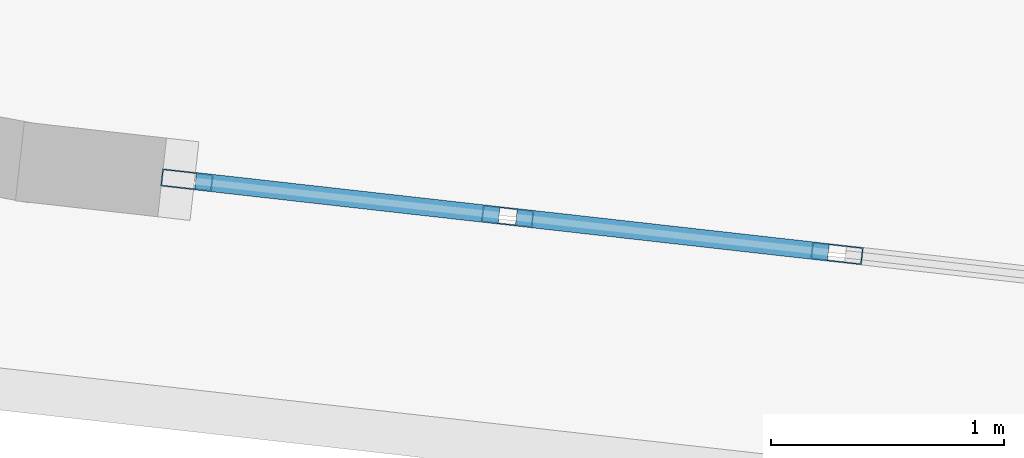
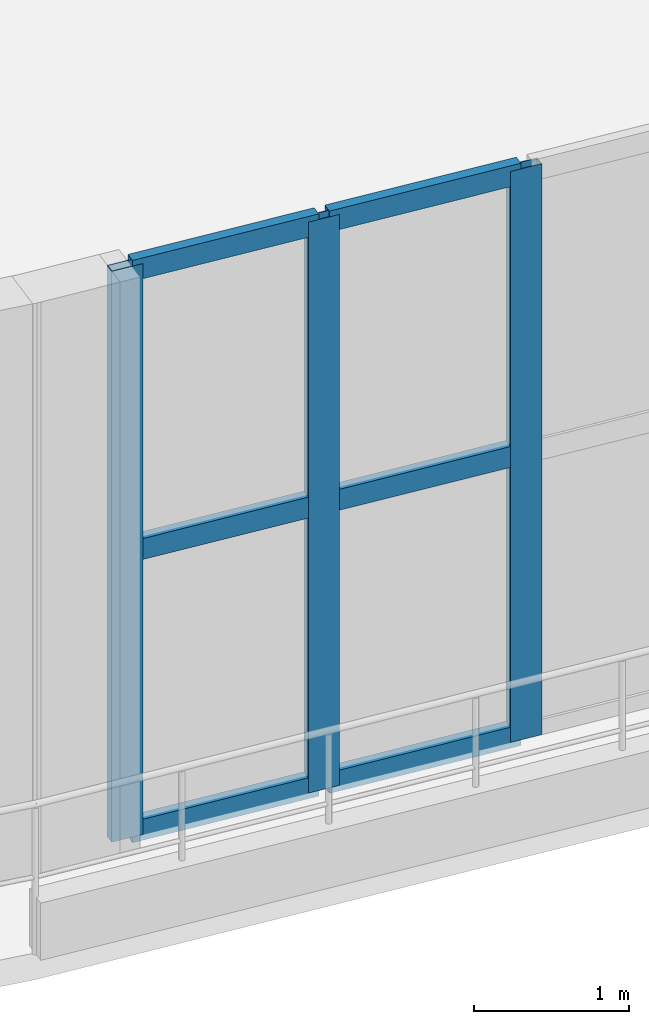
# One storey, part 4 of 23: 9 members, 1 element without a shape of its own.
"""IFC4 building model written with IfcOpenShell, lengths in metres."""

from ifc_helpers import new_model, si_unit, direction, frame, origin, origin_2d, place, context, subcontext, project, spatial, hollow_rectangle, extrude, material, layer, layer_set, material_profile, profile_set, type_object, element, aggregate, save


model = new_model("IFC4")

# Units and contexts
model_context = context("Model", 3, precision=1e-05, world=origin(), true_north=direction((0.0, 1.0)))
body_context = subcontext(model_context, "Body", "Model", "MODEL_VIEW")
ifc_project = project(units=[si_unit("LENGTHUNIT", "METRE"), si_unit("AREAUNIT", "SQUARE_METRE"), si_unit("VOLUMEUNIT", "CUBIC_METRE"), si_unit("PLANEANGLEUNIT", "RADIAN"), si_unit("MASSUNIT", "GRAM", prefix="KILO")], contexts=[model_context])

# Site, building, storey
site_placement = place(None, origin())
site = spatial("IfcSite", under=ifc_project, at=site_placement, CompositionType="ELEMENT")
building_placement = place(site_placement, origin())
building = spatial("IfcBuilding", under=site, at=building_placement, Name="Miruveldt Soraemaru", CompositionType="ELEMENT")
storey_placement = place(building_placement, frame((0.0, 0.0, 9.60009765625)))
storey = spatial("IfcBuildingStorey", under=building, at=storey_placement, Name="L03", CompositionType="ELEMENT", Elevation=9.60009765625)

# Curtain wall, members
ifc_material = material(Name="Anodised aluminium EN AW-6063 T6", Category="aluminium")
ifc_layer = layer(ifc_material, 0.219970703125, Name="Anodised aluminium EN AW-6063 T6", Category="aluminium")
ifc_layer_set = layer_set([ifc_layer], Name="Anodised aluminium EN AW-6063 T6")
curtain_wall_type = type_object("IfcCurtainWallType", Name="CW-SYS-2", PredefinedType="USERDEFINED", material=ifc_layer_set)
curtain_wall_placement = place(storey_placement, origin())
curtain_wall = element("IfcCurtainWall", 1, at=curtain_wall_placement, inside=storey, type_object=curtain_wall_type, Name="L03 Curtain Wall Bay 23", ObjectType="STOREFRONT", PredefinedType="USERDEFINED")
ifc_material_profile_1 = material_profile(ifc_material, hollow_rectangle(XDim=0.074951171875, YDim=0.219970703125, WallThickness=0.0048828125, at=origin_2d()), Name="Anodised aluminium EN AW-6063 T6", Category="aluminium")
ifc_profile_set_1 = profile_set([ifc_material_profile_1], Name="Anodised aluminium EN AW-6063 T6")
member_type_1 = type_object("IfcMemberType", Name="CWM-2", PredefinedType="MULLION", material=ifc_profile_set_1)
member_1_placement = place(storey_placement, frame((30.776611328125, 16.194091796875, 0.0), z_axis=(0.0, 0.0, 1.0), x_axis=(0.11177808936, 0.993733192934, 0.0)))
member_1 = element("IfcMember", 2, at=member_1_placement, type_object=member_type_1, Name="CW-2 mullion 1", PredefinedType="MULLION", context=body_context, shape_type="SweptSolid", body=[
    extrude(hollow_rectangle(XDim=0.074951171875, YDim=0.219970703125, WallThickness=0.0048828125, at=origin_2d()), origin(), (0.0, 0.0, 1.0), 4.5),
])
member_2_placement = place(storey_placement, frame((32.154541015625, 16.0390625, 0.0), z_axis=(0.0, 0.0, 1.0), x_axis=(0.11177808936, 0.993733192934, 0.0)))
member_2 = element("IfcMember", 3, at=member_2_placement, type_object=member_type_1, Name="CW-2 mullion 2", PredefinedType="MULLION", context=body_context, shape_type="SweptSolid", body=[
    extrude(hollow_rectangle(XDim=0.074951171875, YDim=0.219970703125, WallThickness=0.0048828125, at=origin_2d()), origin(), (0.0, 0.0, 1.0), 4.5),
])
member_3_placement = place(storey_placement, frame((33.570068359375, 15.8798828125, 0.0), z_axis=(0.0, 0.0, 1.0), x_axis=(0.11177808936, 0.993733192934, 0.0)))
member_3 = element("IfcMember", 4, at=member_3_placement, type_object=member_type_1, Name="CW-2 mullion 3", PredefinedType="MULLION", context=body_context, shape_type="SweptSolid", body=[
    extrude(hollow_rectangle(XDim=0.074951171875, YDim=0.219970703125, WallThickness=0.0048828125, at=origin_2d()), origin(), (0.0, 0.0, 1.0), 4.5),
])
ifc_material_profile_2 = material_profile(ifc_material, hollow_rectangle(XDim=0.074951171875, YDim=0.1650390625, WallThickness=0.00390625, at=origin_2d()), Name="Anodised aluminium EN AW-6063 T6", Category="aluminium")
ifc_profile_set_2 = profile_set([ifc_material_profile_2], Name="Anodised aluminium EN AW-6063 T6")
member_type_2 = type_object("IfcMemberType", Name="CWT-2", PredefinedType="USERDEFINED", material=ifc_profile_set_2)
member_4_placement = place(storey_placement, frame((30.813720703125, 16.18994140625, 0.037353515625), z_axis=(0.993726146699, -0.111840714263, 0.0), x_axis=(0.111840714263, 0.993726146699, 0.0)))
member_4 = element("IfcMember", 5, at=member_4_placement, type_object=member_type_2, Name="CW-2 transom 1.1", ObjectType="TRANSOM", PredefinedType="USERDEFINED", context=body_context, shape_type="SweptSolid", body=[
    extrude(hollow_rectangle(XDim=0.074951171875, YDim=0.1650390625, WallThickness=0.00390625, at=origin_2d()), origin(), (0.0, 0.0, 1.0), 1.31201171875),
])
member_5_placement = place(storey_placement, frame((30.813720703125, 16.18994140625, 2.25), z_axis=(0.993726146699, -0.111840714263, 0.0), x_axis=(0.111840714263, 0.993726146699, 0.0)))
member_5 = element("IfcMember", 6, at=member_5_placement, type_object=member_type_2, Name="CW-2 transom 1.2", ObjectType="TRANSOM", PredefinedType="USERDEFINED", context=body_context, shape_type="SweptSolid", body=[
    extrude(hollow_rectangle(XDim=0.074951171875, YDim=0.1650390625, WallThickness=0.00390625, at=origin_2d()), origin(), (0.0, 0.0, 1.0), 1.31201171875),
])
member_6_placement = place(storey_placement, frame((30.813720703125, 16.18994140625, 4.46240234375), z_axis=(0.993726146699, -0.111840714263, 0.0), x_axis=(0.111840714263, 0.993726146699, 0.0)))
member_6 = element("IfcMember", 7, at=member_6_placement, type_object=member_type_2, Name="CW-2 transom 1.3", ObjectType="TRANSOM", PredefinedType="USERDEFINED", context=body_context, shape_type="SweptSolid", body=[
    extrude(hollow_rectangle(XDim=0.074951171875, YDim=0.1650390625, WallThickness=0.00390625, at=origin_2d()), origin(), (0.0, 0.0, 1.0), 1.31201171875),
])
member_7_placement = place(storey_placement, frame((32.19189453125, 16.034912109375, 0.037353515625), z_axis=(0.993728300578, -0.111821574974, 0.0), x_axis=(0.111821574974, 0.993728300578, 0.0)))
member_7 = element("IfcMember", 8, at=member_7_placement, type_object=member_type_2, Name="CW-2 transom 2.1", ObjectType="TRANSOM", PredefinedType="USERDEFINED", context=body_context, shape_type="SweptSolid", body=[
    extrude(hollow_rectangle(XDim=0.074951171875, YDim=0.1650390625, WallThickness=0.00390625, at=origin_2d()), origin(), (0.0, 0.0, 1.0), 1.349365234375),
])
member_8_placement = place(storey_placement, frame((32.19189453125, 16.034912109375, 2.25), z_axis=(0.993728300578, -0.111821574974, 0.0), x_axis=(0.111821574974, 0.993728300578, 0.0)))
member_8 = element("IfcMember", 9, at=member_8_placement, type_object=member_type_2, Name="CW-2 transom 2.2", ObjectType="TRANSOM", PredefinedType="USERDEFINED", context=body_context, shape_type="SweptSolid", body=[
    extrude(hollow_rectangle(XDim=0.074951171875, YDim=0.1650390625, WallThickness=0.00390625, at=origin_2d()), origin(), (0.0, 0.0, 1.0), 1.349365234375),
])
member_9_placement = place(storey_placement, frame((32.19189453125, 16.034912109375, 4.46240234375), z_axis=(0.993728300578, -0.111821574974, 0.0), x_axis=(0.111821574974, 0.993728300578, 0.0)))
member_9 = element("IfcMember", 10, at=member_9_placement, type_object=member_type_2, Name="CW-2 transom 2.3", ObjectType="TRANSOM", PredefinedType="USERDEFINED", context=body_context, shape_type="SweptSolid", body=[
    extrude(hollow_rectangle(XDim=0.074951171875, YDim=0.1650390625, WallThickness=0.00390625, at=origin_2d()), origin(), (0.0, 0.0, 1.0), 1.349365234375),
])
aggregate(curtain_wall, [member_1, member_2, member_3, member_4, member_5, member_6, member_7, member_8, member_9])

save(model, "model.ifc")
